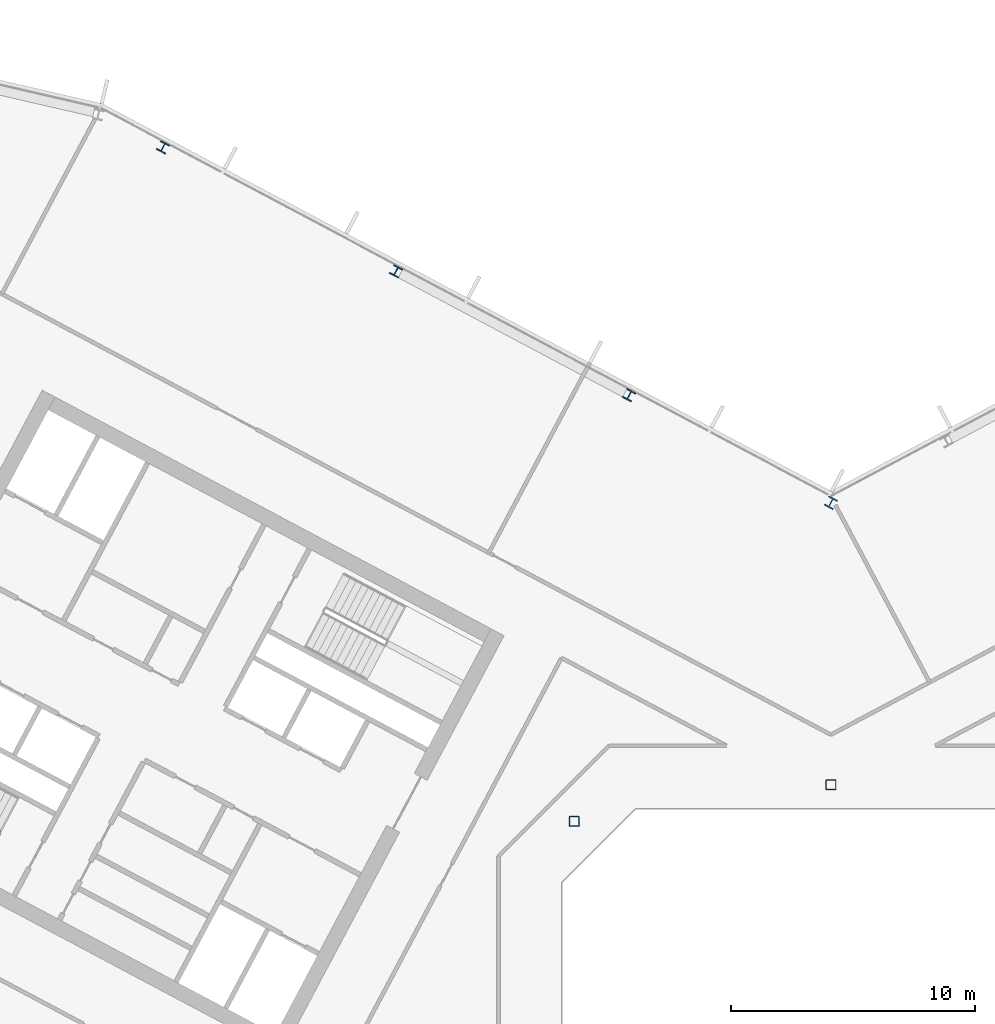
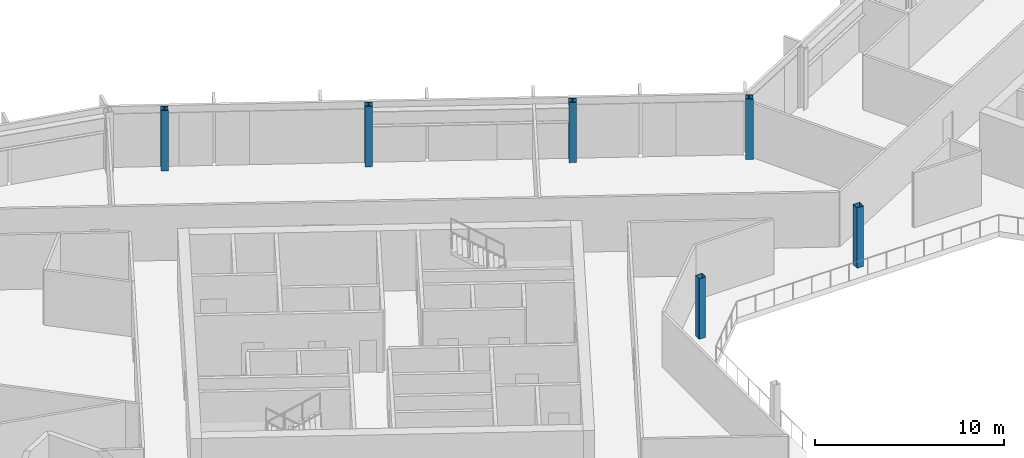
# One storey, part 4 of 27: 6 columns.
"""IFC4 building model written with IfcOpenShell, lengths in metres."""

from ifc_helpers import new_model, si_unit, direction, frame, origin, origin_2d, place, context, subcontext, project, spatial, hollow_rectangle, i_section, extrude, material, material_profile, profile_set, type_object, element, save


model = new_model("IFC4")

# Units and contexts
model_context = context("Model", 3, precision=1e-05, world=origin(), true_north=direction((0.0, 1.0)))
body_context = subcontext(model_context, "Body", "Model", "MODEL_VIEW")
ifc_project = project(units=[si_unit("LENGTHUNIT", "METRE"), si_unit("AREAUNIT", "SQUARE_METRE"), si_unit("VOLUMEUNIT", "CUBIC_METRE"), si_unit("PLANEANGLEUNIT", "RADIAN"), si_unit("MASSUNIT", "GRAM", prefix="KILO")], contexts=[model_context])

# Site, building, storey
site_placement = place(None, origin())
site = spatial("IfcSite", under=ifc_project, at=site_placement, CompositionType="ELEMENT")
building_placement = place(site_placement, origin())
building = spatial("IfcBuilding", under=site, at=building_placement, Name="Cormorant Relay Tower", CompositionType="ELEMENT")
storey_placement = place(building_placement, frame((0.0, 0.0, 240.300048828125)))
storey = spatial("IfcBuildingStorey", under=building, at=storey_placement, Name="L53", CompositionType="ELEMENT", Elevation=240.300048828125)

# Columns
ifc_material_1 = material(Name="Steel ASTM A500 Grade C (Fy 345 MPa)", Category="steel")
ifc_material_profile_1 = material_profile(ifc_material_1, hollow_rectangle(XDim=0.406494140625, YDim=0.406494140625, WallThickness=0.0146484375, InnerFilletRadius=0.00732421875, OuterFilletRadius=0.022216796875, at=origin_2d()), Name="HSS406x406x15")
ifc_profile_set_1 = profile_set([ifc_material_profile_1], Name="Steel ASTM A500 Grade C (Fy 345 MPa)")
column_type_1 = type_object("IfcColumnType", Name="Column HSS406x406x15", PredefinedType="COLUMN", material=ifc_profile_set_1)
for number, where, z_axis, x_axis, name in (
    (1, (-10.5, 10.5, 0.0), (0.0, 0.0, 1.0), (1.0, 0.0, 0.0), "Column L53-023"),
    (2, (0.0, 12.0, 0.0), (0.0, 0.0, 1.0), (1.0, 0.0, 0.0), "Column L53-025"),
):
    element("IfcColumn", number, at=place(storey_placement, frame(where, z_axis=z_axis, x_axis=x_axis)), inside=storey, type_object=column_type_1, Name=name, PredefinedType="COLUMN", context=body_context, shape_type="SweptSolid", body=[
        extrude(hollow_rectangle(XDim=0.406494140625, YDim=0.406494140625, WallThickness=0.0146484375, InnerFilletRadius=0.00732421875, OuterFilletRadius=0.022216796875, at=origin_2d()), origin(), (0.0, 0.0, 1.0), 3.89990234375),
    ])
ifc_material_2 = material(Name="Steel ASTM A992 (Fy 345 MPa)", Category="steel")
ifc_material_profile_2 = material_profile(ifc_material_2, i_section(OverallWidth=0.40380859375, OverallDepth=0.406494140625, WebThickness=0.027099609375, FlangeThickness=0.043701171875, FilletRadius=0.01513671875, at=origin_2d()), Name="W360x347")
ifc_profile_set_2 = profile_set([ifc_material_profile_2], Name="Steel ASTM A992 (Fy 345 MPa)")
column_type_2 = type_object("IfcColumnType", Name="Column W360x347", PredefinedType="COLUMN", material=ifc_profile_set_2)
for number, where, z_axis, x_axis, name in (
    (3, (-8.251953125, 27.93408203125, 0.0), (0.0, 0.0, 1.0), (-0.882947592859, 0.469471562786, 0.0), "Column L53-033"),
    (4, (-17.7880859375, 33.00390625, 0.0), (0.0, 0.0, 1.0), (-0.882947592859, 0.469471562786, 0.0), "Column L53-037"),
    (5, (-27.322998046875, 38.073974609375, 0.0), (0.0, 0.0, 1.0), (-0.882947592859, 0.469471562786, 0.0), "Column L53-040"),
):
    element("IfcColumn", number, at=place(storey_placement, frame(where, z_axis=z_axis, x_axis=x_axis)), inside=storey, type_object=column_type_2, Name=name, PredefinedType="COLUMN", context=body_context, shape_type="SweptSolid", body=[
        extrude(i_section(OverallWidth=0.40380859375, OverallDepth=0.406494140625, WebThickness=0.027099609375, FlangeThickness=0.043701171875, FilletRadius=0.01513671875, at=origin_2d()), origin(), (0.0, 0.0, 1.0), 3.89990234375),
    ])
ifc_material_3 = material(Name="Steel ASTM A992 (Fy 345 MPa)", Category="steel")
ifc_material_profile_3 = material_profile(ifc_material_3, i_section(OverallWidth=0.41162109375, OverallDepth=0.434326171875, WebThickness=0.035888671875, FlangeThickness=0.057373046875, FilletRadius=0.01513671875, at=origin_2d()), Name="W360x463")
ifc_profile_set_3 = profile_set([ifc_material_profile_3], Name="Steel ASTM A992 (Fy 345 MPa)")
column_type_3 = type_object("IfcColumnType", Name="Column W360x463", PredefinedType="COLUMN", material=ifc_profile_set_3)
column_placement = place(storey_placement, frame((0.0, 23.533935546875, 0.0), z_axis=(0.0, 0.0, 1.0), x_axis=(-0.882947592859, 0.469471562786, 0.0)))
element("IfcColumn", 6, at=column_placement, inside=storey, type_object=column_type_3, Name="Column L53-030", PredefinedType="COLUMN", context=body_context, shape_type="SweptSolid", body=[
    extrude(i_section(OverallWidth=0.41162109375, OverallDepth=0.434326171875, WebThickness=0.035888671875, FlangeThickness=0.057373046875, FilletRadius=0.01513671875, at=origin_2d()), origin(), (0.0, 0.0, 1.0), 3.89990234375),
])

save(model, "model.ifc")
